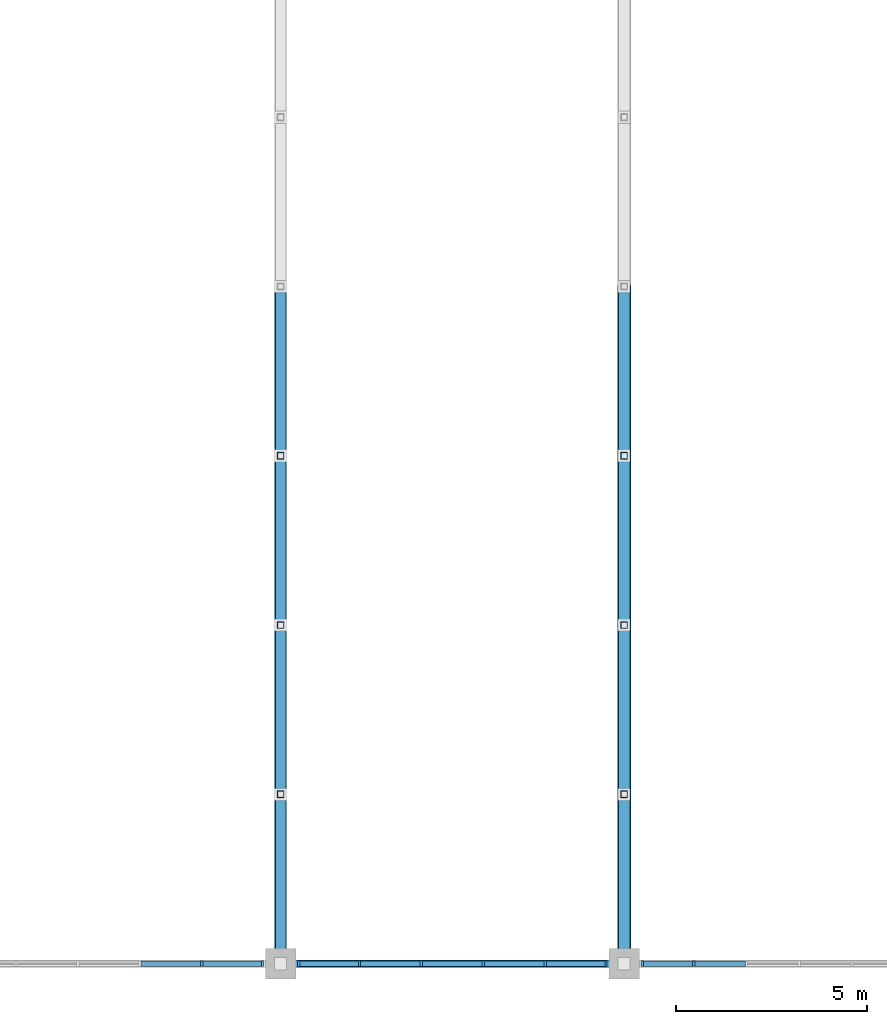
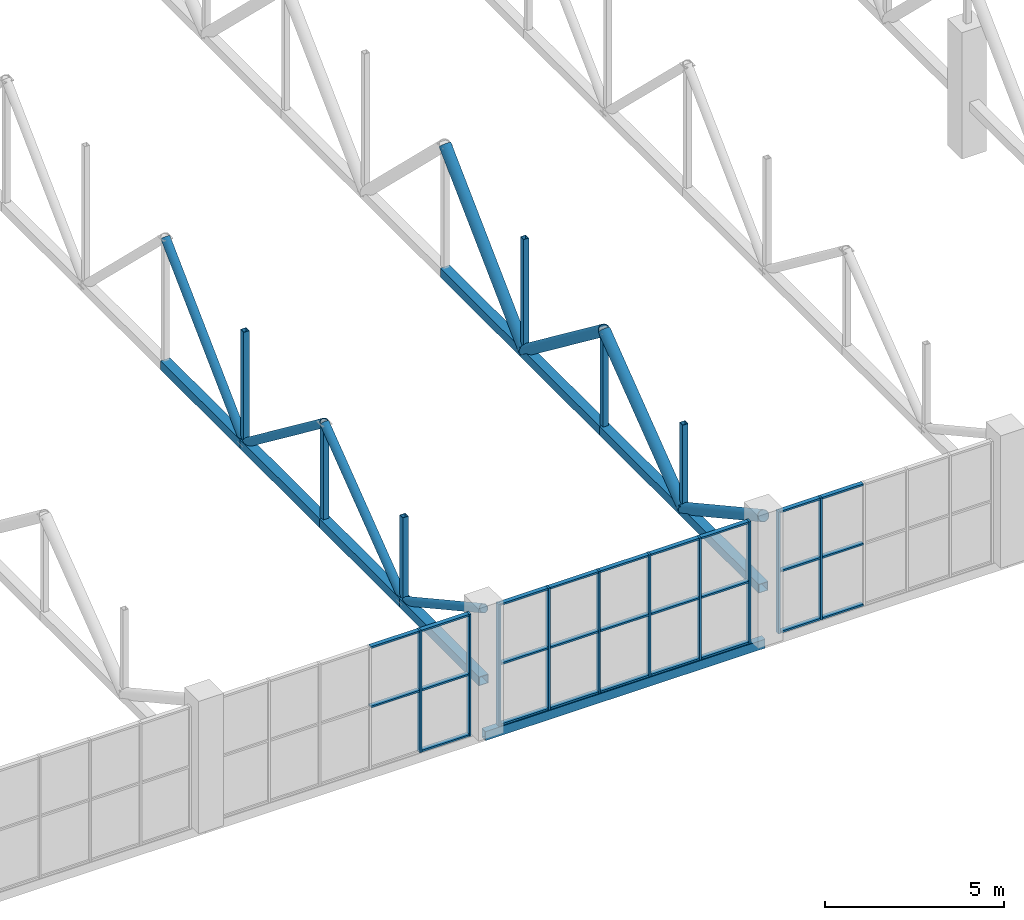
# One storey, part 54 of 103: 58 members, 1 beam, 3 elements without a shape of their own.
"""IFC4 building model written with IfcOpenShell, lengths in metres."""

from ifc_helpers import new_model, si_unit, direction, frame, origin, origin_2d, place, context, subcontext, project, spatial, rectangle, hollow_rectangle, hollow_circle, extrude, material, layer, layer_set, material_profile, profile_set, type_object, element, aggregate, save


model = new_model("IFC4")

# Units and contexts
model_context = context("Model", 3, precision=1e-05, world=origin(), true_north=direction((0.0, 1.0)))
body_context = subcontext(model_context, "Body", "Model", "MODEL_VIEW")
ifc_project = project(units=[si_unit("LENGTHUNIT", "METRE"), si_unit("AREAUNIT", "SQUARE_METRE"), si_unit("VOLUMEUNIT", "CUBIC_METRE"), si_unit("PLANEANGLEUNIT", "RADIAN"), si_unit("MASSUNIT", "GRAM", prefix="KILO")], contexts=[model_context])

# Site, building, storey
site_placement = place(None, origin())
site = spatial("IfcSite", under=ifc_project, at=site_placement, CompositionType="ELEMENT")
building_placement = place(site_placement, origin())
building = spatial("IfcBuilding", under=site, at=building_placement, Name="Cazmaro Siding Exhibition Halls", CompositionType="ELEMENT")
storey_placement = place(building_placement, frame((0.0, 0.0, 16.5)))
storey = spatial("IfcBuildingStorey", under=building, at=storey_placement, Name="L03", CompositionType="ELEMENT", Elevation=16.5)

# Curtain wall, members
ifc_material_1 = material(Name="Anodized Bronze Aluminum and Solar-Control Low-E Glazing", Category="aluminium")
ifc_layer = layer(ifc_material_1, 0.159912109375)
ifc_layer_set = layer_set([ifc_layer], Name="Anodized Bronze Aluminum and Solar-Control Low-E Glazing")
curtain_wall_type = type_object("IfcCurtainWallType", Name="CWS-04", PredefinedType="USERDEFINED", material=ifc_layer_set)
curtain_wall_1_placement = place(storey_placement, origin())
curtain_wall_1 = element("IfcCurtainWall", 1, at=curtain_wall_1_placement, inside=storey, type_object=curtain_wall_type, Name="Clerestory Curtain Wall CWS-04 CW-102", ObjectType="CLERESTORY CURTAIN WALL", PredefinedType="USERDEFINED")
ifc_material_2 = material(Name="Anodized Bronze Extruded Aluminum", Category="aluminium")
ifc_material_profile_1 = material_profile(ifc_material_2, rectangle(XDim=0.159912109375, YDim=0.06005859375, at=origin_2d()), Name="CWM-04")
ifc_profile_set_1 = profile_set([ifc_material_profile_1], Name="Anodized Bronze Extruded Aluminum")
member_type_1 = type_object("IfcMemberType", Name="CWM-04", PredefinedType="MULLION", material=ifc_profile_set_1)
member_1_placement = place(storey_placement, frame((177.93310546875, 9.25, 0.0), z_axis=(0.0, 0.0, 1.0), x_axis=(0.0, 1.0, 0.0)))
member_1 = element("IfcMember", 2, at=member_1_placement, type_object=member_type_1, Name="CWS-04 mullion 5", PredefinedType="MULLION", context=body_context, shape_type="SweptSolid", body=[
    extrude(rectangle(XDim=0.159912109375, YDim=0.06005859375, at=origin_2d()), origin(), (0.0, 0.0, 1.0), 4.14990234375),
])
member_2_placement = place(storey_placement, frame((179.52490234375, 9.25, 0.0), z_axis=(0.0, 0.0, 1.0), x_axis=(0.0, 1.0, 0.0)))
member_2 = element("IfcMember", 3, at=member_2_placement, type_object=member_type_1, Name="CWS-04 mullion 6", PredefinedType="MULLION", context=body_context, shape_type="SweptSolid", body=[
    extrude(rectangle(XDim=0.159912109375, YDim=0.06005859375, at=origin_2d()), origin(), (0.0, 0.0, 1.0), 4.14990234375),
])

curtain_wall_2_placement = place(storey_placement, origin())
curtain_wall_2 = element("IfcCurtainWall", 4, at=curtain_wall_2_placement, inside=storey, type_object=curtain_wall_type, Name="Clerestory Curtain Wall CWS-04 CW-104", ObjectType="CLERESTORY CURTAIN WALL", PredefinedType="USERDEFINED")
member_3_placement = place(storey_placement, frame((180.47509765625, 9.25, 0.0), z_axis=(0.0, 0.0, 1.0), x_axis=(0.0, 1.0, 0.0)))
member_3 = element("IfcMember", 5, at=member_3_placement, type_object=member_type_1, Name="CWS-04 mullion 1", PredefinedType="MULLION", context=body_context, shape_type="SweptSolid", body=[
    extrude(rectangle(XDim=0.159912109375, YDim=0.06005859375, at=origin_2d()), origin(), (0.0, 0.0, 1.0), 4.14990234375),
])
member_4_placement = place(storey_placement, frame((182.06689453125, 9.25, 0.0), z_axis=(0.0, 0.0, 1.0), x_axis=(0.0, 1.0, 0.0)))
member_4 = element("IfcMember", 6, at=member_4_placement, type_object=member_type_1, Name="CWS-04 mullion 2", PredefinedType="MULLION", context=body_context, shape_type="SweptSolid", body=[
    extrude(rectangle(XDim=0.159912109375, YDim=0.06005859375, at=origin_2d()), origin(), (0.0, 0.0, 1.0), 4.14990234375),
])
member_5_placement = place(storey_placement, frame((183.68896484375, 9.25, 0.0), z_axis=(0.0, 0.0, 1.0), x_axis=(0.0, 1.0, 0.0)))
member_5 = element("IfcMember", 7, at=member_5_placement, type_object=member_type_1, Name="CWS-04 mullion 3", PredefinedType="MULLION", context=body_context, shape_type="SweptSolid", body=[
    extrude(rectangle(XDim=0.159912109375, YDim=0.06005859375, at=origin_2d()), origin(), (0.0, 0.0, 1.0), 4.14990234375),
])
member_6_placement = place(storey_placement, frame((185.31103515625, 9.25, 0.0), z_axis=(0.0, 0.0, 1.0), x_axis=(0.0, 1.0, 0.0)))
member_6 = element("IfcMember", 8, at=member_6_placement, type_object=member_type_1, Name="CWS-04 mullion 4", PredefinedType="MULLION", context=body_context, shape_type="SweptSolid", body=[
    extrude(rectangle(XDim=0.159912109375, YDim=0.06005859375, at=origin_2d()), origin(), (0.0, 0.0, 1.0), 4.14990234375),
])
member_7_placement = place(storey_placement, frame((186.93310546875, 9.25, 0.0), z_axis=(0.0, 0.0, 1.0), x_axis=(0.0, 1.0, 0.0)))
member_7 = element("IfcMember", 9, at=member_7_placement, type_object=member_type_1, Name="CWS-04 mullion 5", PredefinedType="MULLION", context=body_context, shape_type="SweptSolid", body=[
    extrude(rectangle(XDim=0.159912109375, YDim=0.06005859375, at=origin_2d()), origin(), (0.0, 0.0, 1.0), 4.14990234375),
])
member_8_placement = place(storey_placement, frame((188.52490234375, 9.25, 0.0), z_axis=(0.0, 0.0, 1.0), x_axis=(0.0, 1.0, 0.0)))
member_8 = element("IfcMember", 10, at=member_8_placement, type_object=member_type_1, Name="CWS-04 mullion 6", PredefinedType="MULLION", context=body_context, shape_type="SweptSolid", body=[
    extrude(rectangle(XDim=0.159912109375, YDim=0.06005859375, at=origin_2d()), origin(), (0.0, 0.0, 1.0), 4.14990234375),
])

curtain_wall_3_placement = place(storey_placement, origin())
curtain_wall_3 = element("IfcCurtainWall", 11, at=curtain_wall_3_placement, inside=storey, type_object=curtain_wall_type, Name="Clerestory Curtain Wall CWS-04 CW-106", ObjectType="CLERESTORY CURTAIN WALL", PredefinedType="USERDEFINED")
member_9_placement = place(storey_placement, frame((189.47509765625, 9.25, 0.0), z_axis=(0.0, 0.0, 1.0), x_axis=(0.0, 1.0, 0.0)))
member_9 = element("IfcMember", 12, at=member_9_placement, type_object=member_type_1, Name="CWS-04 mullion 1", PredefinedType="MULLION", context=body_context, shape_type="SweptSolid", body=[
    extrude(rectangle(XDim=0.159912109375, YDim=0.06005859375, at=origin_2d()), origin(), (0.0, 0.0, 1.0), 4.14990234375),
])
member_10_placement = place(storey_placement, frame((190.826904296875, 9.25, 0.0), z_axis=(0.0, 0.0, 1.0), x_axis=(0.0, 1.0, 0.0)))
member_10 = element("IfcMember", 13, at=member_10_placement, type_object=member_type_1, Name="CWS-04 mullion 2", PredefinedType="MULLION", context=body_context, shape_type="SweptSolid", body=[
    extrude(rectangle(XDim=0.159912109375, YDim=0.06005859375, at=origin_2d()), origin(), (0.0, 0.0, 1.0), 4.14990234375),
])

# Member
ifc_material_3 = material(Name="Anodized Bronze Extruded Aluminum", Category="aluminium")
ifc_material_profile_2 = material_profile(ifc_material_3, rectangle(XDim=0.139892578125, YDim=0.06005859375, at=origin_2d()), Name="CWT-04")
ifc_profile_set_2 = profile_set([ifc_material_profile_2], Name="Anodized Bronze Extruded Aluminum")
member_type_2 = type_object("IfcMemberType", Name="CWT-04", PredefinedType="MULLION", material=ifc_profile_set_2)
member_11_placement = place(storey_placement, frame((176.341064453125, 9.25, 2.10009765625), z_axis=(1.0, 0.0, 0.0), x_axis=(0.0, 1.0, 0.0)))
member_11 = element("IfcMember", 14, at=member_11_placement, type_object=member_type_2, Name="CWS-04 transom 4.2", ObjectType="TRANSOM", PredefinedType="USERDEFINED", context=body_context, shape_type="SweptSolid", body=[
    extrude(rectangle(XDim=0.139892578125, YDim=0.06005859375, at=origin_2d()), origin(), (0.0, 0.0, 1.0), 1.56201171875),
])

member_12_placement = place(storey_placement, frame((176.341064453125, 9.25, 4.1201171875), z_axis=(1.0, 0.0, 0.0), x_axis=(0.0, 1.0, 0.0)))
member_12 = element("IfcMember", 15, at=member_12_placement, type_object=member_type_2, Name="CWS-04 transom 4.3", ObjectType="TRANSOM", PredefinedType="USERDEFINED", context=body_context, shape_type="SweptSolid", body=[
    extrude(rectangle(XDim=0.139892578125, YDim=0.06005859375, at=origin_2d()), origin(), (0.0, 0.0, 1.0), 1.56201171875),
])

member_13_placement = place(storey_placement, frame((177.962890625, 9.25, 0.030029296875), z_axis=(1.0, 0.0, 0.0), x_axis=(0.0, 1.0, 0.0)))
member_13 = element("IfcMember", 16, at=member_13_placement, type_object=member_type_2, Name="CWS-04 transom 5.1", ObjectType="TRANSOM", PredefinedType="USERDEFINED", context=body_context, shape_type="SweptSolid", body=[
    extrude(rectangle(XDim=0.139892578125, YDim=0.06005859375, at=origin_2d()), origin(), (0.0, 0.0, 1.0), 1.5322265625),
])

member_14_placement = place(storey_placement, frame((177.962890625, 9.25, 2.10009765625), z_axis=(1.0, 0.0, 0.0), x_axis=(0.0, 1.0, 0.0)))
member_14 = element("IfcMember", 17, at=member_14_placement, type_object=member_type_2, Name="CWS-04 transom 5.2", ObjectType="TRANSOM", PredefinedType="USERDEFINED", context=body_context, shape_type="SweptSolid", body=[
    extrude(rectangle(XDim=0.139892578125, YDim=0.06005859375, at=origin_2d()), origin(), (0.0, 0.0, 1.0), 1.5322265625),
])

member_15_placement = place(storey_placement, frame((177.962890625, 9.25, 4.1201171875), z_axis=(1.0, 0.0, 0.0), x_axis=(0.0, 1.0, 0.0)))
member_15 = element("IfcMember", 18, at=member_15_placement, type_object=member_type_2, Name="CWS-04 transom 5.3", ObjectType="TRANSOM", PredefinedType="USERDEFINED", context=body_context, shape_type="SweptSolid", body=[
    extrude(rectangle(XDim=0.139892578125, YDim=0.06005859375, at=origin_2d()), origin(), (0.0, 0.0, 1.0), 1.5322265625),
])

aggregate(curtain_wall_1, [member_1, member_2, member_11, member_12, member_13, member_14, member_15])

member_16_placement = place(storey_placement, frame((180.5048828125, 9.25, 0.030029296875), z_axis=(1.0, 0.0, 0.0), x_axis=(0.0, 1.0, 0.0)))
member_16 = element("IfcMember", 19, at=member_16_placement, type_object=member_type_2, Name="CWS-04 transom 1.1", ObjectType="TRANSOM", PredefinedType="USERDEFINED", context=body_context, shape_type="SweptSolid", body=[
    extrude(rectangle(XDim=0.139892578125, YDim=0.06005859375, at=origin_2d()), origin(), (0.0, 0.0, 1.0), 1.5322265625),
])

member_17_placement = place(storey_placement, frame((180.5048828125, 9.25, 2.10009765625), z_axis=(1.0, 0.0, 0.0), x_axis=(0.0, 1.0, 0.0)))
member_17 = element("IfcMember", 20, at=member_17_placement, type_object=member_type_2, Name="CWS-04 transom 1.2", ObjectType="TRANSOM", PredefinedType="USERDEFINED", context=body_context, shape_type="SweptSolid", body=[
    extrude(rectangle(XDim=0.139892578125, YDim=0.06005859375, at=origin_2d()), origin(), (0.0, 0.0, 1.0), 1.5322265625),
])

member_18_placement = place(storey_placement, frame((180.5048828125, 9.25, 4.1201171875), z_axis=(1.0, 0.0, 0.0), x_axis=(0.0, 1.0, 0.0)))
member_18 = element("IfcMember", 21, at=member_18_placement, type_object=member_type_2, Name="CWS-04 transom 1.3", ObjectType="TRANSOM", PredefinedType="USERDEFINED", context=body_context, shape_type="SweptSolid", body=[
    extrude(rectangle(XDim=0.139892578125, YDim=0.06005859375, at=origin_2d()), origin(), (0.0, 0.0, 1.0), 1.5322265625),
])

member_19_placement = place(storey_placement, frame((182.096923828125, 9.25, 0.030029296875), z_axis=(1.0, 0.0, 0.0), x_axis=(0.0, 1.0, 0.0)))
member_19 = element("IfcMember", 22, at=member_19_placement, type_object=member_type_2, Name="CWS-04 transom 2.1", ObjectType="TRANSOM", PredefinedType="USERDEFINED", context=body_context, shape_type="SweptSolid", body=[
    extrude(rectangle(XDim=0.139892578125, YDim=0.06005859375, at=origin_2d()), origin(), (0.0, 0.0, 1.0), 1.56201171875),
])

member_20_placement = place(storey_placement, frame((182.096923828125, 9.25, 2.10009765625), z_axis=(1.0, 0.0, 0.0), x_axis=(0.0, 1.0, 0.0)))
member_20 = element("IfcMember", 23, at=member_20_placement, type_object=member_type_2, Name="CWS-04 transom 2.2", ObjectType="TRANSOM", PredefinedType="USERDEFINED", context=body_context, shape_type="SweptSolid", body=[
    extrude(rectangle(XDim=0.139892578125, YDim=0.06005859375, at=origin_2d()), origin(), (0.0, 0.0, 1.0), 1.56201171875),
])

member_21_placement = place(storey_placement, frame((182.096923828125, 9.25, 4.1201171875), z_axis=(1.0, 0.0, 0.0), x_axis=(0.0, 1.0, 0.0)))
member_21 = element("IfcMember", 24, at=member_21_placement, type_object=member_type_2, Name="CWS-04 transom 2.3", ObjectType="TRANSOM", PredefinedType="USERDEFINED", context=body_context, shape_type="SweptSolid", body=[
    extrude(rectangle(XDim=0.139892578125, YDim=0.06005859375, at=origin_2d()), origin(), (0.0, 0.0, 1.0), 1.56201171875),
])

member_22_placement = place(storey_placement, frame((183.718994140625, 9.25, 0.030029296875), z_axis=(1.0, 0.0, 0.0), x_axis=(0.0, 1.0, 0.0)))
member_22 = element("IfcMember", 25, at=member_22_placement, type_object=member_type_2, Name="CWS-04 transom 3.1", ObjectType="TRANSOM", PredefinedType="USERDEFINED", context=body_context, shape_type="SweptSolid", body=[
    extrude(rectangle(XDim=0.139892578125, YDim=0.06005859375, at=origin_2d()), origin(), (0.0, 0.0, 1.0), 1.56201171875),
])

member_23_placement = place(storey_placement, frame((183.718994140625, 9.25, 2.10009765625), z_axis=(1.0, 0.0, 0.0), x_axis=(0.0, 1.0, 0.0)))
member_23 = element("IfcMember", 26, at=member_23_placement, type_object=member_type_2, Name="CWS-04 transom 3.2", ObjectType="TRANSOM", PredefinedType="USERDEFINED", context=body_context, shape_type="SweptSolid", body=[
    extrude(rectangle(XDim=0.139892578125, YDim=0.06005859375, at=origin_2d()), origin(), (0.0, 0.0, 1.0), 1.56201171875),
])

member_24_placement = place(storey_placement, frame((183.718994140625, 9.25, 4.1201171875), z_axis=(1.0, 0.0, 0.0), x_axis=(0.0, 1.0, 0.0)))
member_24 = element("IfcMember", 27, at=member_24_placement, type_object=member_type_2, Name="CWS-04 transom 3.3", ObjectType="TRANSOM", PredefinedType="USERDEFINED", context=body_context, shape_type="SweptSolid", body=[
    extrude(rectangle(XDim=0.139892578125, YDim=0.06005859375, at=origin_2d()), origin(), (0.0, 0.0, 1.0), 1.56201171875),
])

member_25_placement = place(storey_placement, frame((185.341064453125, 9.25, 0.030029296875), z_axis=(1.0, 0.0, 0.0), x_axis=(0.0, 1.0, 0.0)))
member_25 = element("IfcMember", 28, at=member_25_placement, type_object=member_type_2, Name="CWS-04 transom 4.1", ObjectType="TRANSOM", PredefinedType="USERDEFINED", context=body_context, shape_type="SweptSolid", body=[
    extrude(rectangle(XDim=0.139892578125, YDim=0.06005859375, at=origin_2d()), origin(), (0.0, 0.0, 1.0), 1.56201171875),
])

member_26_placement = place(storey_placement, frame((185.341064453125, 9.25, 2.10009765625), z_axis=(1.0, 0.0, 0.0), x_axis=(0.0, 1.0, 0.0)))
member_26 = element("IfcMember", 29, at=member_26_placement, type_object=member_type_2, Name="CWS-04 transom 4.2", ObjectType="TRANSOM", PredefinedType="USERDEFINED", context=body_context, shape_type="SweptSolid", body=[
    extrude(rectangle(XDim=0.139892578125, YDim=0.06005859375, at=origin_2d()), origin(), (0.0, 0.0, 1.0), 1.56201171875),
])

member_27_placement = place(storey_placement, frame((185.341064453125, 9.25, 4.1201171875), z_axis=(1.0, 0.0, 0.0), x_axis=(0.0, 1.0, 0.0)))
member_27 = element("IfcMember", 30, at=member_27_placement, type_object=member_type_2, Name="CWS-04 transom 4.3", ObjectType="TRANSOM", PredefinedType="USERDEFINED", context=body_context, shape_type="SweptSolid", body=[
    extrude(rectangle(XDim=0.139892578125, YDim=0.06005859375, at=origin_2d()), origin(), (0.0, 0.0, 1.0), 1.56201171875),
])

member_28_placement = place(storey_placement, frame((186.962890625, 9.25, 0.030029296875), z_axis=(1.0, 0.0, 0.0), x_axis=(0.0, 1.0, 0.0)))
member_28 = element("IfcMember", 31, at=member_28_placement, type_object=member_type_2, Name="CWS-04 transom 5.1", ObjectType="TRANSOM", PredefinedType="USERDEFINED", context=body_context, shape_type="SweptSolid", body=[
    extrude(rectangle(XDim=0.139892578125, YDim=0.06005859375, at=origin_2d()), origin(), (0.0, 0.0, 1.0), 1.5322265625),
])

member_29_placement = place(storey_placement, frame((186.962890625, 9.25, 2.10009765625), z_axis=(1.0, 0.0, 0.0), x_axis=(0.0, 1.0, 0.0)))
member_29 = element("IfcMember", 32, at=member_29_placement, type_object=member_type_2, Name="CWS-04 transom 5.2", ObjectType="TRANSOM", PredefinedType="USERDEFINED", context=body_context, shape_type="SweptSolid", body=[
    extrude(rectangle(XDim=0.139892578125, YDim=0.06005859375, at=origin_2d()), origin(), (0.0, 0.0, 1.0), 1.5322265625),
])

member_30_placement = place(storey_placement, frame((186.962890625, 9.25, 4.1201171875), z_axis=(1.0, 0.0, 0.0), x_axis=(0.0, 1.0, 0.0)))
member_30 = element("IfcMember", 33, at=member_30_placement, type_object=member_type_2, Name="CWS-04 transom 5.3", ObjectType="TRANSOM", PredefinedType="USERDEFINED", context=body_context, shape_type="SweptSolid", body=[
    extrude(rectangle(XDim=0.139892578125, YDim=0.06005859375, at=origin_2d()), origin(), (0.0, 0.0, 1.0), 1.5322265625),
])

aggregate(curtain_wall_2, [member_3, member_4, member_5, member_6, member_7, member_8, member_16, member_17, member_18, member_19, member_20, member_21, member_22, member_23, member_24, member_25, member_26, member_27, member_28, member_29, member_30])

member_31_placement = place(storey_placement, frame((189.5048828125, 9.25, 0.030029296875), z_axis=(1.0, 0.0, 0.0), x_axis=(0.0, 1.0, 0.0)))
member_31 = element("IfcMember", 34, at=member_31_placement, type_object=member_type_2, Name="CWS-04 transom 1.1", ObjectType="TRANSOM", PredefinedType="USERDEFINED", context=body_context, shape_type="SweptSolid", body=[
    extrude(rectangle(XDim=0.139892578125, YDim=0.06005859375, at=origin_2d()), origin(), (0.0, 0.0, 1.0), 1.292236328125),
])

member_32_placement = place(storey_placement, frame((189.5048828125, 9.25, 2.10009765625), z_axis=(1.0, 0.0, 0.0), x_axis=(0.0, 1.0, 0.0)))
member_32 = element("IfcMember", 35, at=member_32_placement, type_object=member_type_2, Name="CWS-04 transom 1.2", ObjectType="TRANSOM", PredefinedType="USERDEFINED", context=body_context, shape_type="SweptSolid", body=[
    extrude(rectangle(XDim=0.139892578125, YDim=0.06005859375, at=origin_2d()), origin(), (0.0, 0.0, 1.0), 1.292236328125),
])

member_33_placement = place(storey_placement, frame((189.5048828125, 9.25, 4.1201171875), z_axis=(1.0, 0.0, 0.0), x_axis=(0.0, 1.0, 0.0)))
member_33 = element("IfcMember", 36, at=member_33_placement, type_object=member_type_2, Name="CWS-04 transom 1.3", ObjectType="TRANSOM", PredefinedType="USERDEFINED", context=body_context, shape_type="SweptSolid", body=[
    extrude(rectangle(XDim=0.139892578125, YDim=0.06005859375, at=origin_2d()), origin(), (0.0, 0.0, 1.0), 1.292236328125),
])

member_34_placement = place(storey_placement, frame((190.85693359375, 9.25, 0.030029296875), z_axis=(1.0, 0.0, 0.0), x_axis=(0.0, 1.0, 0.0)))
member_34 = element("IfcMember", 37, at=member_34_placement, type_object=member_type_2, Name="CWS-04 transom 2.1", ObjectType="TRANSOM", PredefinedType="USERDEFINED", context=body_context, shape_type="SweptSolid", body=[
    extrude(rectangle(XDim=0.139892578125, YDim=0.06005859375, at=origin_2d()), origin(), (0.0, 0.0, 1.0), 1.322021484375),
])

member_35_placement = place(storey_placement, frame((190.85693359375, 9.25, 2.10009765625), z_axis=(1.0, 0.0, 0.0), x_axis=(0.0, 1.0, 0.0)))
member_35 = element("IfcMember", 38, at=member_35_placement, type_object=member_type_2, Name="CWS-04 transom 2.2", ObjectType="TRANSOM", PredefinedType="USERDEFINED", context=body_context, shape_type="SweptSolid", body=[
    extrude(rectangle(XDim=0.139892578125, YDim=0.06005859375, at=origin_2d()), origin(), (0.0, 0.0, 1.0), 1.322021484375),
])

member_36_placement = place(storey_placement, frame((190.85693359375, 9.25, 4.1201171875), z_axis=(1.0, 0.0, 0.0), x_axis=(0.0, 1.0, 0.0)))
member_36 = element("IfcMember", 39, at=member_36_placement, type_object=member_type_2, Name="CWS-04 transom 2.3", ObjectType="TRANSOM", PredefinedType="USERDEFINED", context=body_context, shape_type="SweptSolid", body=[
    extrude(rectangle(XDim=0.139892578125, YDim=0.06005859375, at=origin_2d()), origin(), (0.0, 0.0, 1.0), 1.322021484375),
])

aggregate(curtain_wall_3, [member_9, member_10, member_31, member_32, member_33, member_34, member_35, member_36])

# Beam
ifc_material_4 = material(Name="Steel ASTM A500 Grade C", Category="steel")
ifc_material_profile_3 = material_profile(ifc_material_4, hollow_rectangle(XDim=0.202880859375, YDim=0.304931640625, WallThickness=0.011962890625, at=origin_2d()), Name="HSS12X8X1/2")
ifc_profile_set_3 = profile_set([ifc_material_profile_3], Name="Steel ASTM A500 Grade C")
beam_type = type_object("IfcBeamType", Name="SP-01", PredefinedType="SPANDREL", material=ifc_profile_set_3)
beam_placement = place(storey_placement, frame((180.0, 9.25, -0.152099609375), z_axis=(1.0, 0.0, 0.0), x_axis=(0.0, 1.0, 0.0)))
element("IfcBeam", 40, at=beam_placement, inside=storey, type_object=beam_type, Name="Beam SP-01 BM-1531", PredefinedType="SPANDREL", context=body_context, shape_type="SweptSolid", body=[
    extrude(hollow_rectangle(XDim=0.202880859375, YDim=0.304931640625, WallThickness=0.011962890625, at=origin_2d()), origin(), (0.0, 0.0, 1.0), 9.0),
])

# Members
ifc_material_5 = material(Name="Steel ASTM A500 Grade C", Category="steel")
ifc_material_profile_4 = material_profile(ifc_material_5, hollow_rectangle(XDim=0.304931640625, YDim=0.304931640625, WallThickness=0.014892578125, at=origin_2d()), Name="HSS12X12X5/8")
ifc_profile_set_4 = profile_set([ifc_material_profile_4], Name="Steel ASTM A500 Grade C")
member_type_3 = type_object("IfcMemberType", Name="TC-02", PredefinedType="CHORD", material=ifc_profile_set_4)
for number, where, z_axis, x_axis, name in (
    (41, (180.0, 9.25, 1.699951171875), (0.0, 1.0, 0.0), (-1.0, 0.0, 0.0), "Warren roof truss bottom chord TC-02 MEM-2771"),
    (42, (180.0, 13.68505859375, 1.699951171875), (0.0, 1.0, 0.0), (-1.0, 0.0, 0.0), "Warren roof truss bottom chord TC-02 MEM-2774"),
):
    element("IfcMember", number, at=place(storey_placement, frame(where, z_axis=z_axis, x_axis=x_axis)), inside=storey, type_object=member_type_3, Name=name, PredefinedType="CHORD", context=body_context, shape_type="SweptSolid", body=[
        extrude(hollow_rectangle(XDim=0.304931640625, YDim=0.304931640625, WallThickness=0.014892578125, at=origin_2d()), origin(), (0.0, 0.0, 1.0), 4.43505859375),
    ])
member_37_placement = place(storey_placement, frame((180.0, 18.1201171875, 1.699951171875), z_axis=(0.0, 1.0, 0.0), x_axis=(-1.0, 0.0, 0.0)))
element("IfcMember", 43, at=member_37_placement, inside=storey, type_object=member_type_3, Name="Warren roof truss bottom chord TC-02 MEM-2777", PredefinedType="CHORD", context=body_context, shape_type="SweptSolid", body=[
    extrude(hollow_rectangle(XDim=0.304931640625, YDim=0.304931640625, WallThickness=0.014892578125, at=origin_2d()), origin(), (0.0, 0.0, 1.0), 4.434814453125),
])
for number, where, z_axis, x_axis, name in (
    (44, (180.0, 22.554931640625, 1.699951171875), (0.0, 1.0, 0.0), (-1.0, 0.0, 0.0), "Warren roof truss bottom chord TC-02 MEM-2780"),
    (45, (189.0, 9.25, 1.699951171875), (0.0, 1.0, 0.0), (-1.0, 0.0, 0.0), "Warren roof truss bottom chord TC-02 MEM-2810"),
    (46, (189.0, 13.68505859375, 1.699951171875), (0.0, 1.0, 0.0), (-1.0, 0.0, 0.0), "Warren roof truss bottom chord TC-02 MEM-2813"),
):
    element("IfcMember", number, at=place(storey_placement, frame(where, z_axis=z_axis, x_axis=x_axis)), inside=storey, type_object=member_type_3, Name=name, PredefinedType="CHORD", context=body_context, shape_type="SweptSolid", body=[
        extrude(hollow_rectangle(XDim=0.304931640625, YDim=0.304931640625, WallThickness=0.014892578125, at=origin_2d()), origin(), (0.0, 0.0, 1.0), 4.43505859375),
    ])
member_38_placement = place(storey_placement, frame((189.0, 18.1201171875, 1.699951171875), z_axis=(0.0, 1.0, 0.0), x_axis=(-1.0, 0.0, 0.0)))
element("IfcMember", 47, at=member_38_placement, inside=storey, type_object=member_type_3, Name="Warren roof truss bottom chord TC-02 MEM-2816", PredefinedType="CHORD", context=body_context, shape_type="SweptSolid", body=[
    extrude(hollow_rectangle(XDim=0.304931640625, YDim=0.304931640625, WallThickness=0.014892578125, at=origin_2d()), origin(), (0.0, 0.0, 1.0), 4.434814453125),
])
member_39_placement = place(storey_placement, frame((189.0, 22.554931640625, 1.699951171875), z_axis=(0.0, 1.0, 0.0), x_axis=(-1.0, 0.0, 0.0)))
element("IfcMember", 48, at=member_39_placement, inside=storey, type_object=member_type_3, Name="Warren roof truss bottom chord TC-02 MEM-2819", PredefinedType="CHORD", context=body_context, shape_type="SweptSolid", body=[
    extrude(hollow_rectangle(XDim=0.304931640625, YDim=0.304931640625, WallThickness=0.014892578125, at=origin_2d()), origin(), (0.0, 0.0, 1.0), 4.43505859375),
])
ifc_material_6 = material(Name="Steel ASTM A500 Grade C", Category="steel")
ifc_material_profile_5 = material_profile(ifc_material_6, hollow_rectangle(XDim=0.177978515625, YDim=0.177978515625, WallThickness=0.011962890625, at=origin_2d()), Name="HSS7X7X1/2")
ifc_profile_set_5 = profile_set([ifc_material_profile_5], Name="Steel ASTM A500 Grade C")
member_type_4 = type_object("IfcMemberType", Name="TP-02", PredefinedType="POST", material=ifc_profile_set_5)
member_40_placement = place(storey_placement, frame((180.0, 13.68505859375, 1.699951171875), z_axis=(0.0, 0.0, 1.0), x_axis=(1.0, 0.0, 0.0)))
element("IfcMember", 49, at=member_40_placement, inside=storey, type_object=member_type_4, Name="Warren roof truss vertical TP-02 MEM-2800", PredefinedType="POST", context=body_context, shape_type="SweptSolid", body=[
    extrude(hollow_rectangle(XDim=0.177978515625, YDim=0.177978515625, WallThickness=0.011962890625, at=origin_2d()), origin(), (0.0, 0.0, 1.0), 2.906005859375),
])
member_41_placement = place(storey_placement, frame((180.0, 18.1201171875, 1.699951171875), z_axis=(0.0, 0.0, 1.0), x_axis=(1.0, 0.0, 0.0)))
element("IfcMember", 50, at=member_41_placement, inside=storey, type_object=member_type_4, Name="Warren roof truss vertical TP-02 MEM-2801", PredefinedType="POST", context=body_context, shape_type="SweptSolid", body=[
    extrude(hollow_rectangle(XDim=0.177978515625, YDim=0.177978515625, WallThickness=0.011962890625, at=origin_2d()), origin(), (0.0, 0.0, 1.0), 3.373046875),
])
member_42_placement = place(storey_placement, frame((180.0, 22.554931640625, 1.699951171875), z_axis=(0.0, 0.0, 1.0), x_axis=(1.0, 0.0, 0.0)))
element("IfcMember", 51, at=member_42_placement, inside=storey, type_object=member_type_4, Name="Warren roof truss vertical TP-02 MEM-2802", PredefinedType="POST", context=body_context, shape_type="SweptSolid", body=[
    extrude(hollow_rectangle(XDim=0.177978515625, YDim=0.177978515625, WallThickness=0.011962890625, at=origin_2d()), origin(), (0.0, 0.0, 1.0), 3.839111328125),
])
member_43_placement = place(storey_placement, frame((189.0, 13.68505859375, 1.699951171875), z_axis=(0.0, 0.0, 1.0), x_axis=(1.0, 0.0, 0.0)))
element("IfcMember", 52, at=member_43_placement, inside=storey, type_object=member_type_4, Name="Warren roof truss vertical TP-02 MEM-2839", PredefinedType="POST", context=body_context, shape_type="SweptSolid", body=[
    extrude(hollow_rectangle(XDim=0.177978515625, YDim=0.177978515625, WallThickness=0.011962890625, at=origin_2d()), origin(), (0.0, 0.0, 1.0), 2.906005859375),
])
member_44_placement = place(storey_placement, frame((189.0, 18.1201171875, 1.699951171875), z_axis=(0.0, 0.0, 1.0), x_axis=(1.0, 0.0, 0.0)))
element("IfcMember", 53, at=member_44_placement, inside=storey, type_object=member_type_4, Name="Warren roof truss vertical TP-02 MEM-2840", PredefinedType="POST", context=body_context, shape_type="SweptSolid", body=[
    extrude(hollow_rectangle(XDim=0.177978515625, YDim=0.177978515625, WallThickness=0.011962890625, at=origin_2d()), origin(), (0.0, 0.0, 1.0), 3.373046875),
])
member_45_placement = place(storey_placement, frame((189.0, 22.554931640625, 1.699951171875), z_axis=(0.0, 0.0, 1.0), x_axis=(1.0, 0.0, 0.0)))
element("IfcMember", 54, at=member_45_placement, inside=storey, type_object=member_type_4, Name="Warren roof truss vertical TP-02 MEM-2841", PredefinedType="POST", context=body_context, shape_type="SweptSolid", body=[
    extrude(hollow_rectangle(XDim=0.177978515625, YDim=0.177978515625, WallThickness=0.011962890625, at=origin_2d()), origin(), (0.0, 0.0, 1.0), 3.839111328125),
])
ifc_material_7 = material(Name="Steel ASTM A500 Grade C", Category="steel")
ifc_material_profile_6 = material_profile(ifc_material_7, hollow_circle(Radius=0.136474609375, WallThickness=0.012939453125, at=origin_2d()), Name="PIPE10XS")
ifc_profile_set_6 = profile_set([ifc_material_profile_6], Name="Steel ASTM A500 Grade C")
member_type_5 = type_object("IfcMemberType", Name="WB-02", PredefinedType="BRACE", material=ifc_profile_set_6)
member_46_placement = place(storey_placement, frame((180.0, 9.25, 4.139892578125), z_axis=(0.0, 0.876160914294, -0.482018726051), x_axis=(-1.0, 0.0, 0.0)))
element("IfcMember", 55, at=member_46_placement, inside=storey, type_object=member_type_5, Name="Warren roof truss diagonal WB-02 MEM-2772", PredefinedType="BRACE", context=body_context, shape_type="SweptSolid", body=[
    extrude(hollow_circle(Radius=0.136474609375, WallThickness=0.012939453125, at=origin_2d()), origin(), (0.0, 0.0, 1.0), 5.06201171875),
])
member_47_placement = place(storey_placement, frame((180.0, 13.68505859375, 1.699951171875), z_axis=(0.0, 0.795954445209, 0.605356524002), x_axis=(-1.0, 0.0, 0.0)))
element("IfcMember", 56, at=member_47_placement, inside=storey, type_object=member_type_5, Name="Warren roof truss diagonal WB-02 MEM-2775", PredefinedType="BRACE", context=body_context, shape_type="SweptSolid", body=[
    extrude(hollow_circle(Radius=0.136474609375, WallThickness=0.012939453125, at=origin_2d()), origin(), (0.0, 0.0, 1.0), 5.572021484375),
])
member_48_placement = place(storey_placement, frame((180.0, 18.1201171875, 5.072998046875), z_axis=(0.0, 0.795938387852, -0.605377636475), x_axis=(-1.0, 0.0, 0.0)))
element("IfcMember", 57, at=member_48_placement, inside=storey, type_object=member_type_5, Name="Warren roof truss diagonal WB-02 MEM-2778", PredefinedType="BRACE", context=body_context, shape_type="SweptSolid", body=[
    extrude(hollow_circle(Radius=0.136474609375, WallThickness=0.012939453125, at=origin_2d()), origin(), (0.0, 0.0, 1.0), 5.57177734375),
])
member_49_placement = place(storey_placement, frame((180.0, 22.554931640625, 1.699951171875), z_axis=(0.0, 0.717555143773, 0.696501698236), x_axis=(-1.0, 0.0, 0.0)))
element("IfcMember", 58, at=member_49_placement, inside=storey, type_object=member_type_5, Name="Warren roof truss diagonal WB-02 MEM-2781", PredefinedType="BRACE", context=body_context, shape_type="SweptSolid", body=[
    extrude(hollow_circle(Radius=0.136474609375, WallThickness=0.012939453125, at=origin_2d()), origin(), (0.0, 0.0, 1.0), 6.180908203125),
])
ifc_material_8 = material(Name="Steel ASTM A500 Grade C", Category="steel")
ifc_material_profile_7 = material_profile(ifc_material_8, hollow_circle(Radius=0.177978515625, WallThickness=0.012939453125, at=origin_2d()), Name="PIPE14XS")
ifc_profile_set_7 = profile_set([ifc_material_profile_7], Name="Steel ASTM A500 Grade C")
member_type_6 = type_object("IfcMemberType", Name="WB-06", PredefinedType="BRACE", material=ifc_profile_set_7)
member_50_placement = place(storey_placement, frame((189.0, 9.25, 4.139892578125), z_axis=(0.0, 0.876160914294, -0.482018726051), x_axis=(-1.0, 0.0, 0.0)))
element("IfcMember", 59, at=member_50_placement, inside=storey, type_object=member_type_6, Name="Warren roof truss diagonal WB-06 MEM-2811", PredefinedType="BRACE", context=body_context, shape_type="SweptSolid", body=[
    extrude(hollow_circle(Radius=0.177978515625, WallThickness=0.012939453125, at=origin_2d()), origin(), (0.0, 0.0, 1.0), 5.06201171875),
])
member_51_placement = place(storey_placement, frame((189.0, 13.68505859375, 1.699951171875), z_axis=(0.0, 0.795954445209, 0.605356524002), x_axis=(-1.0, 0.0, 0.0)))
element("IfcMember", 60, at=member_51_placement, inside=storey, type_object=member_type_6, Name="Warren roof truss diagonal WB-06 MEM-2814", PredefinedType="BRACE", context=body_context, shape_type="SweptSolid", body=[
    extrude(hollow_circle(Radius=0.177978515625, WallThickness=0.012939453125, at=origin_2d()), origin(), (0.0, 0.0, 1.0), 5.572021484375),
])
member_52_placement = place(storey_placement, frame((189.0, 18.1201171875, 5.072998046875), z_axis=(0.0, 0.795938387852, -0.605377636475), x_axis=(-1.0, 0.0, 0.0)))
element("IfcMember", 61, at=member_52_placement, inside=storey, type_object=member_type_6, Name="Warren roof truss diagonal WB-06 MEM-2817", PredefinedType="BRACE", context=body_context, shape_type="SweptSolid", body=[
    extrude(hollow_circle(Radius=0.177978515625, WallThickness=0.012939453125, at=origin_2d()), origin(), (0.0, 0.0, 1.0), 5.57177734375),
])
member_53_placement = place(storey_placement, frame((189.0, 22.554931640625, 1.699951171875), z_axis=(0.0, 0.717555143773, 0.696501698236), x_axis=(-1.0, 0.0, 0.0)))
element("IfcMember", 62, at=member_53_placement, inside=storey, type_object=member_type_6, Name="Warren roof truss diagonal WB-06 MEM-2820", PredefinedType="BRACE", context=body_context, shape_type="SweptSolid", body=[
    extrude(hollow_circle(Radius=0.177978515625, WallThickness=0.012939453125, at=origin_2d()), origin(), (0.0, 0.0, 1.0), 6.180908203125),
])

save(model, "model.ifc")
